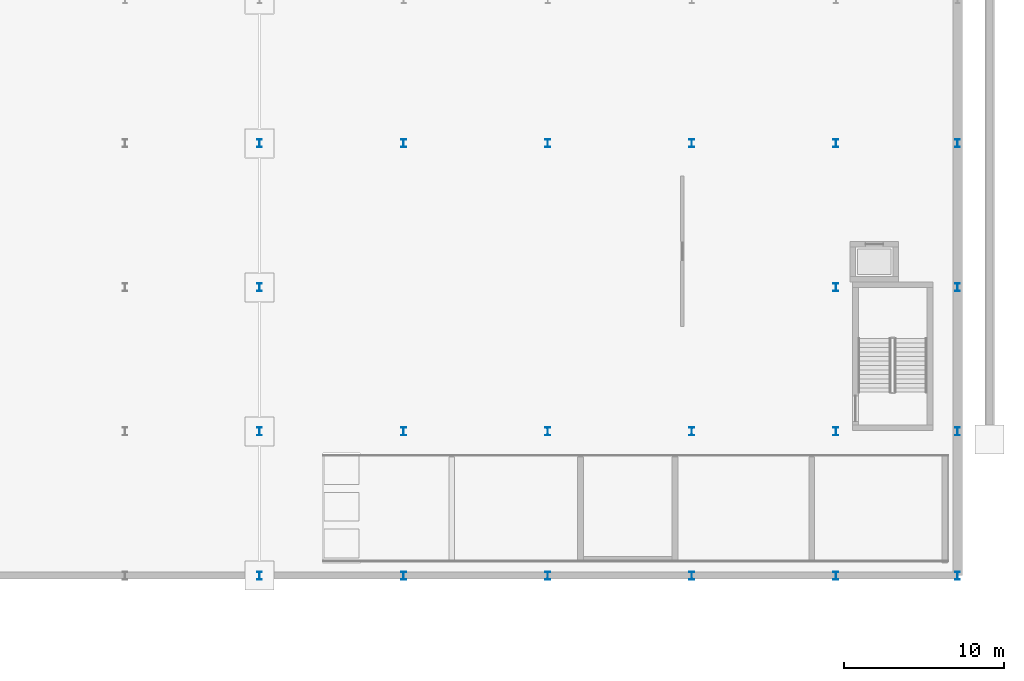
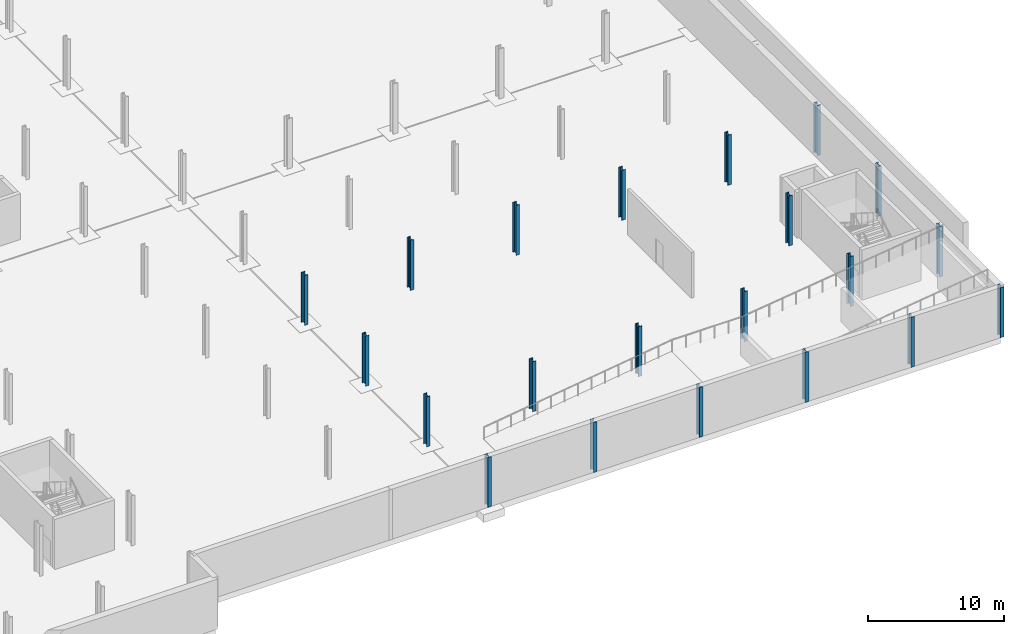
# One storey, part 17 of 45: 21 columns.
"""IFC4 building model written with IfcOpenShell, lengths in metres."""

from ifc_helpers import new_model, si_unit, direction, frame, origin, origin_2d, place, context, subcontext, project, spatial, i_section, extrude, material, material_profile, profile_set, type_object, element, save


model = new_model("IFC4")

# Units and contexts
model_context = context("Model", 3, precision=1e-05, world=origin(), true_north=direction((0.0, 1.0)))
body_context = subcontext(model_context, "Body", "Model", "MODEL_VIEW")
ifc_project = project(units=[si_unit("LENGTHUNIT", "METRE"), si_unit("AREAUNIT", "SQUARE_METRE"), si_unit("VOLUMEUNIT", "CUBIC_METRE"), si_unit("PLANEANGLEUNIT", "RADIAN"), si_unit("MASSUNIT", "GRAM", prefix="KILO")], contexts=[model_context])

# Site, building, storey
site_placement = place(None, origin())
site = spatial("IfcSite", under=ifc_project, at=site_placement, CompositionType="ELEMENT")
building_placement = place(site_placement, origin())
building = spatial("IfcBuilding", under=site, at=building_placement, Name="Sefraquen Railside Congress Hotel", CompositionType="ELEMENT")
storey_placement = place(building_placement, frame((0.0, 0.0, -4.5)))
storey = spatial("IfcBuildingStorey", under=building, at=storey_placement, Name="B01", CompositionType="ELEMENT", Elevation=-4.5)

# Columns
ifc_material = material(Name="Steel S355JR", Category="steel")
ifc_material_profile = material_profile(ifc_material, i_section(OverallWidth=0.300048828125, OverallDepth=0.5, WebThickness=0.014404296875, FlangeThickness=0.028076171875, FilletRadius=0.027099609375, at=origin_2d()), Name="HEB 500")
ifc_profile_set = profile_set([ifc_material_profile], Name="Steel S355JR")
column_type = type_object("IfcColumnType", Name="TC-HEB-500", PredefinedType="COLUMN", material=ifc_profile_set)
for number, where, z_axis, x_axis, name in (
    (1, (128.39990234375, 9.0, 0.0), (0.0, 0.0, 1.0), (1.0, 0.0, 0.0), "Structural column 17-B B01"),
    (2, (128.39990234375, 18.0, 0.0), (0.0, 0.0, 1.0), (1.0, 0.0, 0.0), "Structural column 17-C B01"),
    (3, (128.39990234375, 27.0, 0.0), (0.0, 0.0, 1.0), (1.0, 0.0, 0.0), "Structural column 17-D B01"),
    (4, (128.39990234375, 36.0, 0.0), (0.0, 0.0, 1.0), (1.0, 0.0, 0.0), "Structural column 17-E B01"),
    (5, (137.39990234375, 9.0, 0.0), (0.0, 0.0, 1.0), (1.0, 0.0, 0.0), "Structural column 18-B B01"),
    (6, (137.39990234375, 18.0, 0.0), (0.0, 0.0, 1.0), (1.0, 0.0, 0.0), "Structural column 18-C B01"),
    (7, (137.39990234375, 36.0, 0.0), (0.0, 0.0, 1.0), (1.0, 0.0, 0.0), "Structural column 18-E B01"),
    (8, (146.39990234375, 9.0, 0.0), (0.0, 0.0, 1.0), (1.0, 0.0, 0.0), "Structural column 19-B B01"),
    (9, (146.39990234375, 18.0, 0.0), (0.0, 0.0, 1.0), (1.0, 0.0, 0.0), "Structural column 19-C B01"),
    (10, (146.39990234375, 36.0, 0.0), (0.0, 0.0, 1.0), (1.0, 0.0, 0.0), "Structural column 19-E B01"),
    (11, (155.39990234375, 9.0, 0.0), (0.0, 0.0, 1.0), (1.0, 0.0, 0.0), "Structural column 20-B B01"),
    (12, (155.39990234375, 18.0, 0.0), (0.0, 0.0, 1.0), (1.0, 0.0, 0.0), "Structural column 20-C B01"),
    (13, (155.39990234375, 36.0, 0.0), (0.0, 0.0, 1.0), (1.0, 0.0, 0.0), "Structural column 20-E B01"),
    (14, (164.39990234375, 9.0, 0.0), (0.0, 0.0, 1.0), (1.0, 0.0, 0.0), "Structural column 21-B B01"),
    (15, (164.39990234375, 18.0, 0.0), (0.0, 0.0, 1.0), (1.0, 0.0, 0.0), "Structural column 21-C B01"),
    (16, (164.39990234375, 27.0, 0.0), (0.0, 0.0, 1.0), (1.0, 0.0, 0.0), "Structural column 21-D B01"),
    (17, (164.39990234375, 36.0, 0.0), (0.0, 0.0, 1.0), (1.0, 0.0, 0.0), "Structural column 21-E B01"),
    (18, (172.0, 9.0, 0.0), (0.0, 0.0, 1.0), (1.0, 0.0, 0.0), "Structural column 22-B B01"),
    (19, (172.0, 18.0, 0.0), (0.0, 0.0, 1.0), (1.0, 0.0, 0.0), "Structural column 22-C B01"),
    (20, (172.0, 27.0, 0.0), (0.0, 0.0, 1.0), (1.0, 0.0, 0.0), "Structural column 22-D B01"),
    (21, (172.0, 36.0, 0.0), (0.0, 0.0, 1.0), (1.0, 0.0, 0.0), "Structural column 22-E B01"),
):
    element("IfcColumn", number, at=place(storey_placement, frame(where, z_axis=z_axis, x_axis=x_axis)), inside=storey, type_object=column_type, Name=name, PredefinedType="COLUMN", context=body_context, shape_type="SweptSolid", body=[
        extrude(i_section(OverallWidth=0.300048828125, OverallDepth=0.5, WebThickness=0.014404296875, FlangeThickness=0.028076171875, FilletRadius=0.027099609375, at=origin_2d()), origin(), (0.0, 0.0, 1.0), 4.5),
    ])

save(model, "model.ifc")
